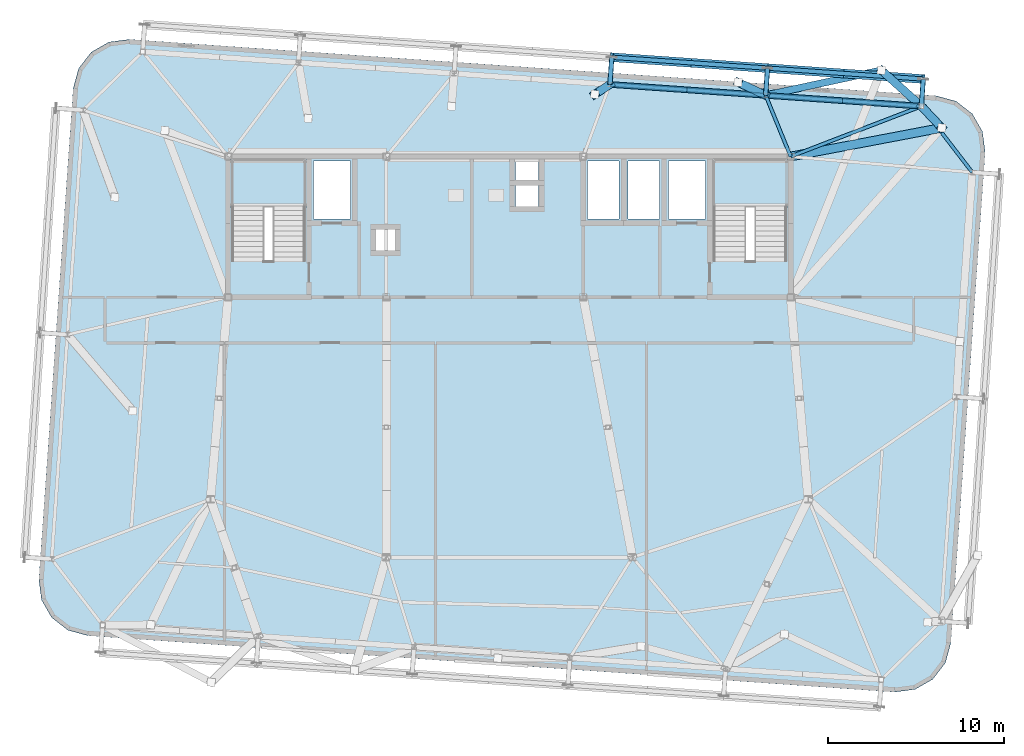
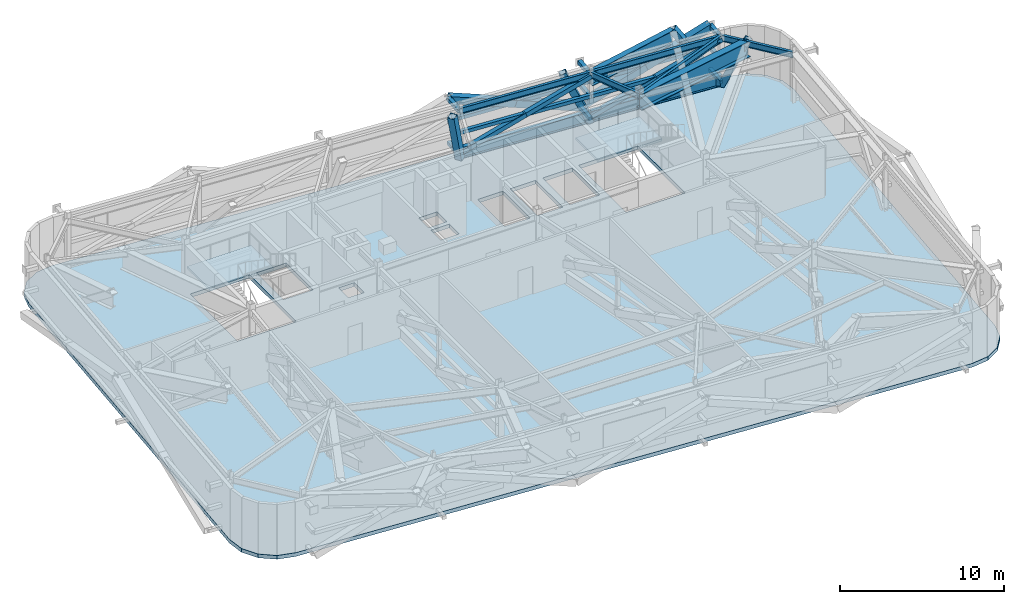
# One storey, part 12 of 24: 27 members, 7 beams, 3 slabs, 2 elements without a shape of their own.
"""IFC4 building model written with IfcOpenShell, lengths in metres."""

from ifc_helpers import new_model, si_unit, direction, frame, origin, origin_2d, place, context, subcontext, project, spatial, polyline, hollow_rectangle, i_section, outline, extrude, source, transform, mapped, material, layer, layer_set, material_profile, profile_set, type_object, element, aggregate, save


model = new_model("IFC4")

# Units and contexts
model_context = context("Model", 3, precision=1e-05, world=origin(), true_north=direction((0.0, 1.0)))
body_context = subcontext(model_context, "Body", "Model", "MODEL_VIEW")
ifc_project = project(units=[si_unit("LENGTHUNIT", "METRE"), si_unit("AREAUNIT", "SQUARE_METRE"), si_unit("VOLUMEUNIT", "CUBIC_METRE"), si_unit("PLANEANGLEUNIT", "RADIAN"), si_unit("MASSUNIT", "GRAM", prefix="KILO")], contexts=[model_context])

# Site, building, storey
site_placement = place(None, origin())
site = spatial("IfcSite", under=ifc_project, at=site_placement, CompositionType="ELEMENT")
building_placement = place(site_placement, origin())
building = spatial("IfcBuilding", under=site, at=building_placement, Name="Taldren Reach Tower", CompositionType="ELEMENT")
storey_placement = place(building_placement, frame((0.0, 0.0, 164.5)))
storey = spatial("IfcBuildingStorey", under=building, at=storey_placement, Name="L50", CompositionType="ELEMENT", Elevation=164.5)

# Members
ifc_material_1 = material(Name="Steel Gr 450 (C450L0)", Category="steel")
ifc_material_profile_1 = material_profile(ifc_material_1, hollow_rectangle(XDim=0.27490234375, YDim=0.27490234375, WallThickness=0.00927734375, at=origin_2d()), Name="275x275x9.3SHS")
ifc_profile_set_1 = profile_set([ifc_material_profile_1], Name="Steel Gr 450 (C450L0)")
member_type_1 = type_object("IfcMemberType", Name="MB-TIE273", PredefinedType="STRUT", material=ifc_profile_set_1)
shared_shape_1 = source(origin(), body_context, "Body", "SweptSolid", [
    extrude(hollow_rectangle(XDim=0.27490234375, YDim=0.27490234375, WallThickness=0.00927734375, at=origin_2d()), origin(), (0.0, 0.0, 1.0), 1.5498046875),
])
member_1_placement = place(storey_placement, frame((58.4365234375, 34.861572265625, 3.5), z_axis=(0.069780535098, 0.997562367434, 0.0), x_axis=(-0.997562367434, 0.069780535098, 0.0)))
element("IfcMember", 1, at=member_1_placement, inside=storey, type_object=member_type_1, Name="Exoskeleton diaphragm tie strut B3-N6 L50", PredefinedType="STRUT", context=body_context, shape_type="MappedRepresentation", body=[
    mapped(shared_shape_1, transform((0.0, 0.0, 0.0), scale=1.0)),
])
ifc_material_2 = material(Name="Steel Gr 350 (C350L0)", Category="steel")
ifc_material_profile_2 = material_profile(ifc_material_2, hollow_rectangle(XDim=0.25, YDim=0.25, WallThickness=0.010009765625, at=origin_2d()), Name="250x250x10.0SHS")
ifc_profile_set_2 = profile_set([ifc_material_profile_2], Name="Steel Gr 350 (C350L0)")
member_type_2 = type_object("IfcMemberType", Name="MB-POST250", PredefinedType="POST", material=ifc_profile_set_2)
shared_shape_2 = source(origin(), body_context, "Body", "SweptSolid", [
    extrude(hollow_rectangle(XDim=0.25, YDim=0.25, WallThickness=0.010009765625, at=origin_2d()), origin(), (0.0, 0.0, 1.0), 1.5498046875),
])
for number, where, z_axis, x_axis, name in (
    (2, (58.4365234375, 34.861572265625, 0.219970703125), (0.069780535098, 0.997562367434, 0.0), (-0.997562367434, 0.069780535098, 0.0), "Exoskeleton base diaphragm tie strut B3-N6 L50"),
    (3, (58.4365234375, 34.861572265625, 1.860107421875), (0.069780535098, 0.997562367434, 0.0), (-0.997562367434, 0.069780535098, 0.0), "Exoskeleton mid-tier diaphragm tie B3-N6 L50"),
):
    element("IfcMember", number, at=place(storey_placement, frame(where, z_axis=z_axis, x_axis=x_axis)), inside=storey, type_object=member_type_2, Name=name, PredefinedType="POST", context=body_context, shape_type="MappedRepresentation", body=[
        mapped(shared_shape_2, transform((0.0, 0.0, 0.0), scale=1.0)),
    ])
shared_shape_3 = source(origin(), body_context, "Body", "SweptSolid", [
    extrude(hollow_rectangle(XDim=0.27490234375, YDim=0.27490234375, WallThickness=0.00927734375, at=origin_2d()), origin(), (0.0, 0.0, 1.0), 1.550048828125),
])
for number, where, z_axis, x_axis, name in (
    (4, (40.7197265625, 36.100341796875, 3.5), (0.06976957191, 0.99756313426, 0.0), (-0.99756313426, 0.06976957191, 0.0), "Exoskeleton diaphragm tie strut B3-N4 L50"),
    (5, (49.578125, 35.48095703125, 3.5), (0.06976957191, 0.99756313426, 0.0), (-0.99756313426, 0.06976957191, 0.0), "Exoskeleton diaphragm tie strut B3-N5 L50"),
):
    element("IfcMember", number, at=place(storey_placement, frame(where, z_axis=z_axis, x_axis=x_axis)), inside=storey, type_object=member_type_1, Name=name, PredefinedType="STRUT", context=body_context, shape_type="MappedRepresentation", body=[
        mapped(shared_shape_3, transform((0.0, 0.0, 0.0), scale=1.0)),
    ])
shared_shape_4 = source(origin(), body_context, "Body", "SweptSolid", [
    extrude(hollow_rectangle(XDim=0.25, YDim=0.25, WallThickness=0.010009765625, at=origin_2d()), origin(), (0.0, 0.0, 1.0), 1.550048828125),
])
for number, where, z_axis, x_axis, name in (
    (6, (40.7197265625, 36.100341796875, 0.219970703125), (0.06976957191, 0.99756313426, 0.0), (-0.99756313426, 0.06976957191, 0.0), "Exoskeleton base diaphragm tie strut B3-N4 L50"),
    (7, (49.578125, 35.48095703125, 0.219970703125), (0.06976957191, 0.99756313426, 0.0), (-0.99756313426, 0.06976957191, 0.0), "Exoskeleton base diaphragm tie strut B3-N5 L50"),
    (8, (40.7197265625, 36.100341796875, 1.860107421875), (0.06976957191, 0.99756313426, 0.0), (-0.99756313426, 0.06976957191, 0.0), "Exoskeleton mid-tier diaphragm tie B3-N4 L50"),
    (9, (49.578125, 35.48095703125, 1.860107421875), (0.06976957191, 0.99756313426, 0.0), (-0.99756313426, 0.06976957191, 0.0), "Exoskeleton mid-tier diaphragm tie B3-N5 L50"),
):
    element("IfcMember", number, at=place(storey_placement, frame(where, z_axis=z_axis, x_axis=x_axis)), inside=storey, type_object=member_type_2, Name=name, PredefinedType="POST", context=body_context, shape_type="MappedRepresentation", body=[
        mapped(shared_shape_4, transform((0.0, 0.0, 0.0), scale=1.0)),
    ])

# Beams
ifc_material_3 = material(Name="Steel Gr 350 (350PLUS)", Category="steel")
ifc_material_profile_3 = material_profile(ifc_material_3, i_section(OverallWidth=0.18994140625, OverallDepth=0.4541015625, WebThickness=0.008544921875, FlangeThickness=0.0126953125, at=origin_2d()), Name="460UB67.1")
ifc_profile_set_3 = profile_set([ifc_material_profile_3], Name="Steel Gr 350 (350PLUS)")
beam_type_1 = type_object("IfcBeamType", Name="SP-UB460B", PredefinedType="SPANDREL", material=ifc_profile_set_3)
shared_shape_5 = source(origin(), body_context, "Body", "SweptSolid", [
    extrude(i_section(OverallWidth=0.18994140625, OverallDepth=0.4541015625, WebThickness=0.008544921875, FlangeThickness=0.0126953125, at=origin_2d()), origin(), (0.0, 0.0, 1.0), 8.880126953125),
])
for number, where, z_axis, x_axis, name in (
    (10, (58.4365234375, 34.861572265625, 3.552978515625), (-0.997564479639, 0.069750333063, 0.0), (-0.069750333063, -0.997564479639, 0.0), "Perimeter spandrel B3 N6-N5 L50"),
    (11, (49.578125, 35.48095703125, 3.552978515625), (-0.997564479639, 0.069750333063, 0.0), (-0.069750333063, -0.997564479639, 0.0), "Perimeter spandrel B3 N5-N4 L50"),
):
    element("IfcBeam", number, at=place(storey_placement, frame(where, z_axis=z_axis, x_axis=x_axis)), inside=storey, type_object=beam_type_1, Name=name, PredefinedType="SPANDREL", context=body_context, shape_type="MappedRepresentation", body=[
        mapped(shared_shape_5, transform((0.0, 0.0, 0.0), scale=1.0)),
    ])
shared_shape_6 = source(origin(), body_context, "Body", "SweptSolid", [
    extrude(i_section(OverallWidth=0.18994140625, OverallDepth=0.4541015625, WebThickness=0.008544921875, FlangeThickness=0.0126953125, at=origin_2d()), origin(), (0.0, 0.0, 1.0), 4.745849609375),
])
beam_1_placement = place(storey_placement, frame((61.3310546875, 31.1005859375, 3.552978515625), z_axis=(-0.609904656723, 0.792474800677, 0.0), x_axis=(-0.792474800677, -0.609904656723, 0.0)))
element("IfcBeam", 12, at=beam_1_placement, inside=storey, type_object=beam_type_1, Name="Perimeter spandrel B3 E3-N6 L50", PredefinedType="SPANDREL", context=body_context, shape_type="MappedRepresentation", body=[
    mapped(shared_shape_6, transform((0.0, 0.0, 0.0), scale=1.0)),
])
ifc_material_profile_4 = material_profile(ifc_material_3, i_section(OverallWidth=0.19091796875, OverallDepth=0.4599609375, WebThickness=0.010009765625, FlangeThickness=0.01611328125, at=origin_2d()), Name="460UB82.1")
ifc_profile_set_4 = profile_set([ifc_material_profile_4], Name="Steel Gr 350 (350PLUS)")
beam_type_2 = type_object("IfcBeamType", Name="BM-UB460A", PredefinedType="BEAM", material=ifc_profile_set_4)
shared_shape_7 = source(origin(), body_context, "Body", "SweptSolid", [
    extrude(i_section(OverallWidth=0.19091796875, OverallDepth=0.4599609375, WebThickness=0.010009765625, FlangeThickness=0.01611328125, at=origin_2d()), origin(), (0.0, 0.0, 1.0), 7.968017578125),
])
beam_2_placement = place(storey_placement, frame((51.0, 32.0, 3.550048828125), z_axis=(0.933287947144, 0.359128956943, 0.0), x_axis=(-0.359128956943, 0.933287947144, 0.0)))
element("IfcBeam", 13, at=beam_2_placement, inside=storey, type_object=beam_type_2, Name="Primary floor girder B3-N6 L50", PredefinedType="BEAM", context=body_context, shape_type="MappedRepresentation", body=[
    mapped(shared_shape_7, transform((0.0, 0.0, 0.0), scale=1.0)),
])
shared_shape_8 = source(origin(), body_context, "Body", "SweptSolid", [
    extrude(i_section(OverallWidth=0.19091796875, OverallDepth=0.4599609375, WebThickness=0.010009765625, FlangeThickness=0.01611328125, at=origin_2d()), origin(), (0.0, 0.0, 1.0), 3.76025390625),
])
beam_3_placement = place(storey_placement, frame((51.0, 32.0, 3.550048828125), z_axis=(-0.37814232545, 0.925747471886, 0.0), x_axis=(-0.925747471886, -0.37814232545, 0.0)))
element("IfcBeam", 14, at=beam_3_placement, inside=storey, type_object=beam_type_2, Name="Primary floor girder B3-N5 L50", PredefinedType="BEAM", context=body_context, shape_type="MappedRepresentation", body=[
    mapped(shared_shape_8, transform((0.0, 0.0, 0.0), scale=1.0)),
])

# Members
shared_shape_9 = source(origin(), body_context, "Body", "SweptSolid", [
    extrude(hollow_rectangle(XDim=0.25, YDim=0.25, WallThickness=0.010009765625, at=origin_2d()), origin(), (0.0, 0.0, 1.0), 8.880126953125),
])
for number, where, z_axis, x_axis, name in (
    (15, (40.7197265625, 36.100341796875, 1.955078125), (0.997564479639, -0.069750333063, 0.0), (0.069750333063, 0.997564479639, 0.0), "Belt Truss Transfer Mid Chord N4 L50"),
    (16, (49.578125, 35.48095703125, 1.955078125), (0.997564479639, -0.069750333063, 0.0), (0.069750333063, 0.997564479639, 0.0), "Belt Truss Transfer Mid Chord N5 L50"),
    (17, (40.827880859375, 37.646728515625, 1.860107421875), (0.997564479639, -0.069750333063, 0.0), (0.069750333063, 0.997564479639, 0.0), "Exoskeleton mid-height ring chord B3-N4 L50"),
    (18, (49.686279296875, 37.02734375, 1.860107421875), (0.997562566276, -0.06977769246, 0.0), (0.06977769246, 0.997562566276, 0.0), "Exoskeleton mid-height ring chord B3-N5 L50"),
):
    element("IfcMember", number, at=place(storey_placement, frame(where, z_axis=z_axis, x_axis=x_axis)), inside=storey, type_object=member_type_2, Name=name, PredefinedType="POST", context=body_context, shape_type="MappedRepresentation", body=[
        mapped(shared_shape_9, transform((0.0, 0.0, 0.0), scale=1.0)),
    ])
ifc_material_profile_5 = material_profile(ifc_material_1, hollow_rectangle(XDim=0.4599609375, YDim=0.4599609375, WallThickness=0.01611328125, at=origin_2d()), Name="460x460x16.0SHS")
ifc_profile_set_5 = profile_set([ifc_material_profile_5], Name="Steel Gr 450 (C450L0)")
member_type_3 = type_object("IfcMemberType", Name="MB-EXO457", PredefinedType="BRACE", material=ifc_profile_set_5)
shared_shape_10 = source(origin(), body_context, "Body", "SweptSolid", [
    extrude(hollow_rectangle(XDim=0.4599609375, YDim=0.4599609375, WallThickness=0.01611328125, at=origin_2d()), origin(), (0.0, 0.0, 1.0), 3.8984375),
])
member_2_placement = place(storey_placement, frame((40.7197265625, 36.100341796875, 0.02001953125), z_axis=(-0.221128030669, -0.144475323351, 0.964483942321), x_axis=(0.546961876936, -0.837157515154, 0.0)))
element("IfcMember", 19, at=member_2_placement, inside=storey, type_object=member_type_3, Name="Outrigger Belt Truss Transfer Strut TS-B4-N4 L50", PredefinedType="BRACE", context=body_context, shape_type="MappedRepresentation", body=[
    mapped(shared_shape_10, transform((0.0, 0.0, 0.0), scale=1.0)),
])
shared_shape_11 = source(origin(), body_context, "Body", "SweptSolid", [
    extrude(hollow_rectangle(XDim=0.4599609375, YDim=0.4599609375, WallThickness=0.01611328125, at=origin_2d()), origin(), (0.0, 0.0, 1.0), 4.14111328125),
])
member_3_placement = place(storey_placement, frame((49.578125, 35.48095703125, 0.02001953125), z_axis=(-0.378914498201, 0.178815570724, 0.90799162701), x_axis=(-0.42677937728, -0.90435577243, 0.0)))
element("IfcMember", 20, at=member_3_placement, inside=storey, type_object=member_type_3, Name="Outrigger Belt Truss Transfer Strut TS-B4-N5 L50", PredefinedType="BRACE", context=body_context, shape_type="MappedRepresentation", body=[
    mapped(shared_shape_11, transform((0.0, 0.0, 0.0), scale=1.0)),
])
shared_shape_12 = source(origin(), body_context, "Body", "SweptSolid", [
    extrude(hollow_rectangle(XDim=0.4599609375, YDim=0.4599609375, WallThickness=0.01611328125, at=origin_2d()), origin(), (0.0, 0.0, 1.0), 4.847412109375),
])
member_4_placement = place(storey_placement, frame((58.4365234375, 34.861572265625, 0.02001953125), z_axis=(-0.469547133361, 0.421751334845, 0.77566184714), x_axis=(-0.66822814599, -0.743956413311, 0.0)))
element("IfcMember", 21, at=member_4_placement, inside=storey, type_object=member_type_3, Name="Outrigger Belt Truss Transfer Strut TS-B4-N6 L50", PredefinedType="BRACE", context=body_context, shape_type="MappedRepresentation", body=[
    mapped(shared_shape_12, transform((0.0, 0.0, 0.0), scale=1.0)),
])

# Beam
ifc_material_profile_6 = material_profile(ifc_material_3, i_section(OverallWidth=0.39990234375, OverallDepth=1.02392578125, WebThickness=0.01611328125, FlangeThickness=0.031982421875, at=origin_2d()), Name="1000WB322")
ifc_profile_set_6 = profile_set([ifc_material_profile_6], Name="Steel Gr 350 (350PLUS)")
beam_type_3 = type_object("IfcBeamType", Name="BM-WB1000", PredefinedType="BEAM", material=ifc_profile_set_6)
shared_shape_13 = source(origin(), body_context, "Body", "SweptSolid", [
    extrude(i_section(OverallWidth=0.39990234375, OverallDepth=1.02392578125, WebThickness=0.01611328125, FlangeThickness=0.031982421875, at=origin_2d()), origin(), (0.0, 0.0, 1.0), 6.73486328125),
])
beam_4_placement = place(storey_placement, frame((49.578125, 35.48095703125, 3.26806640625), z_axis=(0.977357262117, 0.211595799079, 0.0), x_axis=(-0.211595799079, 0.977357262117, 0.0)))
element("IfcBeam", 22, at=beam_4_placement, inside=storey, type_object=beam_type_3, Name="Belt Truss Transfer Tie Girder TG-B4-N6B on L50", PredefinedType="BEAM", context=body_context, shape_type="MappedRepresentation", body=[
    mapped(shared_shape_13, transform((0.0, 0.0, 0.0), scale=1.0)),
])

# Member
shared_shape_14 = source(origin(), body_context, "Body", "SweptSolid", [
    extrude(hollow_rectangle(XDim=0.4599609375, YDim=0.4599609375, WallThickness=0.01611328125, at=origin_2d()), origin(), (0.0, 0.0, 1.0), 4.12255859375),
])
member_5_placement = place(storey_placement, frame((58.4365234375, 34.861572265625, 0.02001953125), z_axis=(0.28136370117, -0.29824196992, 0.912077954476), x_axis=(0.72738957156, 0.686224752677, 0.0)))
element("IfcMember", 23, at=member_5_placement, inside=storey, type_object=member_type_3, Name="Outrigger Belt Truss Transfer Strut TS-B4-E3 L50", PredefinedType="BRACE", context=body_context, shape_type="MappedRepresentation", body=[
    mapped(shared_shape_14, transform((0.0, 0.0, 0.0), scale=1.0)),
])

# Beam
ifc_material_profile_7 = material_profile(ifc_material_3, i_section(OverallWidth=0.5, OverallDepth=1.199951171875, WebThickness=0.01611328125, FlangeThickness=0.0400390625, at=origin_2d()), Name="1200WB455")
ifc_profile_set_7 = profile_set([ifc_material_profile_7], Name="Steel Gr 350 (350PLUS)")
beam_type_4 = type_object("IfcBeamType", Name="BM-WB1200", PredefinedType="BEAM", material=ifc_profile_set_7)
shared_shape_15 = source(origin(), body_context, "Body", "SweptSolid", [
    extrude(i_section(OverallWidth=0.5, OverallDepth=1.199951171875, WebThickness=0.01611328125, FlangeThickness=0.0400390625, at=origin_2d()), origin(), (0.0, 0.0, 1.0), 8.75),
])
beam_5_placement = place(storey_placement, frame((51.0, 32.0, 3.179931640625), z_axis=(0.982450485799, 0.18652357211, 0.0), x_axis=(-0.18652357211, 0.982450485799, 0.0)))
element("IfcBeam", 24, at=beam_5_placement, inside=storey, type_object=beam_type_4, Name="Belt Truss Transfer Edge Tie Girder TG-B4-E3R on L50", PredefinedType="BEAM", context=body_context, shape_type="MappedRepresentation", body=[
    mapped(shared_shape_15, transform((0.0, 0.0, 0.0), scale=1.0)),
])

# Members
ifc_material_profile_8 = material_profile(ifc_material_3, i_section(OverallWidth=0.300048828125, OverallDepth=0.81591796875, WebThickness=0.011962890625, FlangeThickness=0.02392578125, at=origin_2d()), Name="800WB192")
ifc_profile_set_8 = profile_set([ifc_material_profile_8], Name="Steel Gr 350 (350PLUS)")
member_type_4 = type_object("IfcMemberType", Name="MB-CH800", PredefinedType="CHORD", material=ifc_profile_set_8)
shared_shape_16 = source(origin(), body_context, "Body", "SweptSolid", [
    extrude(i_section(OverallWidth=0.300048828125, OverallDepth=0.81591796875, WebThickness=0.011962890625, FlangeThickness=0.02392578125, at=origin_2d()), origin(), (0.0, 0.0, 1.0), 8.880126953125),
])
for number, where, z_axis, x_axis, name in (
    (25, (40.7197265625, 36.100341796875, 0.449951171875), (0.997564479639, -0.069750333063, 0.0), (0.069750333063, 0.997564479639, 0.0), "Belt Truss Transfer Bottom Chord N4 L50"),
    (26, (49.578125, 35.48095703125, 0.449951171875), (0.997564479639, -0.069750333063, 0.0), (0.069750333063, 0.997564479639, 0.0), "Belt Truss Transfer Bottom Chord N5 L50"),
):
    element("IfcMember", number, at=place(storey_placement, frame(where, z_axis=z_axis, x_axis=x_axis)), inside=storey, type_object=member_type_4, Name=name, PredefinedType="CHORD", context=body_context, shape_type="MappedRepresentation", body=[
        mapped(shared_shape_16, transform((0.0, 0.0, 0.0), scale=1.0)),
    ])
ifc_material_profile_9 = material_profile(ifc_material_1, hollow_rectangle(XDim=0.324951171875, YDim=0.324951171875, WallThickness=0.0126953125, at=origin_2d()), Name="325x325x12.7SHS")
ifc_profile_set_9 = profile_set([ifc_material_profile_9], Name="Steel Gr 450 (C450L0)")
member_type_5 = type_object("IfcMemberType", Name="MB-BR324", PredefinedType="BRACE", material=ifc_profile_set_9)
shared_shape_17 = source(origin(), body_context, "Body", "SweptSolid", [
    extrude(hollow_rectangle(XDim=0.324951171875, YDim=0.324951171875, WallThickness=0.0126953125, at=origin_2d()), origin(), (0.0, 0.0, 1.0), 4.688232421875),
])
for number, where, z_axis, x_axis, name in (
    (27, (40.7197265625, 36.100341796875, 0.449951171875), (0.944758459439, -0.066032065184, 0.321047067712), (0.069722973508, 0.997566392259, 0.0), "Belt Truss Transfer Diagonal N4 L50"),
    (28, (45.14892578125, 35.790771484375, 1.955078125), (0.944771003614, -0.066085018387, 0.320999254011), (0.06977769246, 0.997562566276, 0.0), "Belt Truss Transfer Diagonal N4 L50"),
    (29, (49.578125, 35.48095703125, 0.449951171875), (0.944758459439, -0.066032065184, 0.321047067712), (0.069722973508, 0.997566392259, 0.0), "Belt Truss Transfer Diagonal N5 L50"),
    (30, (54.00732421875, 35.17138671875, 1.955078125), (0.944771003614, -0.066085018387, 0.320999254011), (0.06977769246, 0.997562566276, 0.0), "Belt Truss Transfer Diagonal N5 L50"),
):
    element("IfcMember", number, at=place(storey_placement, frame(where, z_axis=z_axis, x_axis=x_axis)), inside=storey, type_object=member_type_5, Name=name, PredefinedType="BRACE", context=body_context, shape_type="MappedRepresentation", body=[
        mapped(shared_shape_17, transform((0.0, 0.0, 0.0), scale=1.0)),
    ])
ifc_material_profile_10 = material_profile(ifc_material_1, hollow_rectangle(XDim=0.510009765625, YDim=0.510009765625, WallThickness=0.02001953125, at=origin_2d()), Name="510x510x20.0SHS")
ifc_profile_set_10 = profile_set([ifc_material_profile_10], Name="Steel Gr 450 (C450L0)")
member_type_6 = type_object("IfcMemberType", Name="MB-EXO508", PredefinedType="BRACE", material=ifc_profile_set_10)
shared_shape_18 = source(origin(), body_context, "Body", "SweptSolid", [
    extrude(hollow_rectangle(XDim=0.510009765625, YDim=0.510009765625, WallThickness=0.02001953125, at=origin_2d()), origin(), (0.0, 0.0, 1.0), 4.733154296875),
])
for number, where, z_axis, x_axis, name in (
    (31, (49.686279296875, 37.02734375, 0.219970703125), (-0.93576211205, 0.065403282884, 0.346513607582), (-0.069722973508, -0.997566392259, 0.0), "Exoskeleton Diagrid Brace B3-N4 L50"),
    (32, (45.257080078125, 37.3369140625, 1.860107421875), (-0.935775678065, 0.065455811678, 0.346467050467), (-0.06977769246, -0.997562566276, 0.0), "Exoskeleton Diagrid Brace B3-N4 L50"),
    (33, (49.686279296875, 37.02734375, 0.219970703125), (0.935758954034, -0.065454641862, 0.346512438166), (0.06977769246, 0.997562566276, 0.0), "Exoskeleton Diagrid Brace B3-N5 L50"),
    (34, (54.115478515625, 36.717529296875, 1.860107421875), (0.935775678065, -0.065455811678, 0.346467050467), (0.06977769246, 0.997562566276, 0.0), "Exoskeleton Diagrid Brace B3-N5 L50"),
):
    element("IfcMember", number, at=place(storey_placement, frame(where, z_axis=z_axis, x_axis=x_axis)), inside=storey, type_object=member_type_6, Name=name, PredefinedType="BRACE", context=body_context, shape_type="MappedRepresentation", body=[
        mapped(shared_shape_18, transform((0.0, 0.0, 0.0), scale=1.0)),
    ])

# Slab
ifc_material_4 = material(Name="Concrete S50 (50 MPa)", Category="concrete")
ifc_layer_1 = layer(ifc_material_4, 0.280029296875)
ifc_layer_set_1 = layer_set([ifc_layer_1], Name="Concrete S50 (50 MPa)")
slab_type_1 = type_object("IfcSlabType", Name="SL-FLR-280", PredefinedType="FLOOR", material=ifc_layer_set_1)
slab_1_placement = place(storey_placement, frame((0.0, 0.0, -0.280029296875)))
element("IfcSlab", 35, at=slab_1_placement, inside=storey, type_object=slab_type_1, Name="Suspended floor slab L50", PredefinedType="FLOOR", context=body_context, shape_type="SweptSolid", body=[
    extrude(outline(polyline([(56.908203125, 1.537109375), (58.0693359375, 1.684814453125), (59.08544921875, 2.265625), (59.80224609375, 3.191162109375), (60.110107421875, 4.320556640625), (62.063232421875, 32.252197265625), (61.91552734375, 33.413330078125), (61.334716796875, 34.4296875), (60.4091796875, 35.146240234375), (59.27978515625, 35.4541015625), (13.391845703125, 38.6630859375), (12.230712890625, 38.515380859375), (11.21435546875, 37.934326171875), (10.497802734375, 37.0087890625), (10.18994140625, 35.879638671875), (8.23681640625, 7.94775390625), (8.384521484375, 6.78662109375), (8.96533203125, 5.770263671875), (9.890869140625, 5.0537109375), (11.020263671875, 4.745849609375), (56.908203125, 1.537109375)]), holes=[polyline([(19.219970703125, 26.050048828125), (23.3798828125, 26.050048828125), (23.3798828125, 31.820068359375), (19.219970703125, 31.820068359375), (19.219970703125, 26.050048828125)]), polyline([(46.6201171875, 26.050048828125), (50.780029296875, 26.050048828125), (50.780029296875, 31.820068359375), (46.6201171875, 31.820068359375), (46.6201171875, 26.050048828125)]), polyline([(23.85009765625, 28.449951171875), (25.949951171875, 28.449951171875), (25.949951171875, 31.75), (23.85009765625, 31.75), (23.85009765625, 28.449951171875)]), polyline([(44.050048828125, 28.449951171875), (46.14990234375, 28.449951171875), (46.14990234375, 31.75), (44.050048828125, 31.75), (44.050048828125, 28.449951171875)]), polyline([(39.449951171875, 28.449951171875), (41.25, 28.449951171875), (41.25, 31.75), (39.449951171875, 31.75), (39.449951171875, 28.449951171875)]), polyline([(41.75, 28.449951171875), (43.550048828125, 28.449951171875), (43.550048828125, 31.75), (41.75, 31.75), (41.75, 28.449951171875)]), polyline([(35.35009765625, 30.64990234375), (36.64990234375, 30.64990234375), (36.64990234375, 31.85009765625), (35.35009765625, 31.85009765625), (35.35009765625, 30.64990234375)]), polyline([(35.35009765625, 29.14990234375), (36.64990234375, 29.14990234375), (36.64990234375, 30.35009765625), (35.35009765625, 30.35009765625), (35.35009765625, 29.14990234375)]), polyline([(27.39990234375, 26.64990234375), (28.5, 26.64990234375), (28.5, 27.85009765625), (27.39990234375, 27.85009765625), (27.39990234375, 26.64990234375)])]), origin(), (0.0, 0.0, 1.0), 0.280029296875),
])

# Stair, slab
stair_type = type_object("IfcStairType", Name="ST-HT-420", PredefinedType="HALF_TURN_STAIR", material=ifc_material_4)
stair_1_placement = place(storey_placement, origin())
stair_1 = element("IfcStair", 36, at=stair_1_placement, inside=storey, type_object=stair_type, Name="Fire-isolated exit stair ST1 L50", PredefinedType="HALF_TURN_STAIR")
ifc_layer_2 = layer(ifc_material_4, 0.179931640625)
ifc_layer_set_2 = layer_set([ifc_layer_2], Name="Concrete S50 (50 MPa)")
slab_type_2 = type_object("IfcSlabType", Name="SL-LAND-180", PredefinedType="LANDING", material=ifc_layer_set_2)
slab_2_placement = place(storey_placement, frame((0.0, 0.0, 1.919921875)))
slab_2 = element("IfcSlab", 37, at=slab_2_placement, type_object=slab_type_2, Name="ST1 landing 1", PredefinedType="LANDING", context=body_context, shape_type="SweptSolid", body=[
    extrude(outline(polyline([(19.0400390625, 29.135009765625), (23.56005859375, 29.135009765625), (23.56005859375, 31.8701171875), (19.0400390625, 31.8701171875), (19.0400390625, 29.135009765625)])), origin(), (0.0, 0.0, 1.0), 0.18017578125),
])
aggregate(stair_1, [slab_2])

stair_2_placement = place(storey_placement, origin())
stair_2 = element("IfcStair", 38, at=stair_2_placement, inside=storey, type_object=stair_type, Name="Fire-isolated exit stair ST2 L50", PredefinedType="HALF_TURN_STAIR")
slab_3_placement = place(storey_placement, frame((0.0, 0.0, 1.919921875)))
slab_3 = element("IfcSlab", 39, at=slab_3_placement, type_object=slab_type_2, Name="ST2 landing 1", PredefinedType="LANDING", context=body_context, shape_type="SweptSolid", body=[
    extrude(outline(polyline([(46.43994140625, 29.135009765625), (50.9599609375, 29.135009765625), (50.9599609375, 31.8701171875), (46.43994140625, 31.8701171875), (46.43994140625, 29.135009765625)])), origin(), (0.0, 0.0, 1.0), 0.18017578125),
])
aggregate(stair_2, [slab_3])

save(model, "model.ifc")
